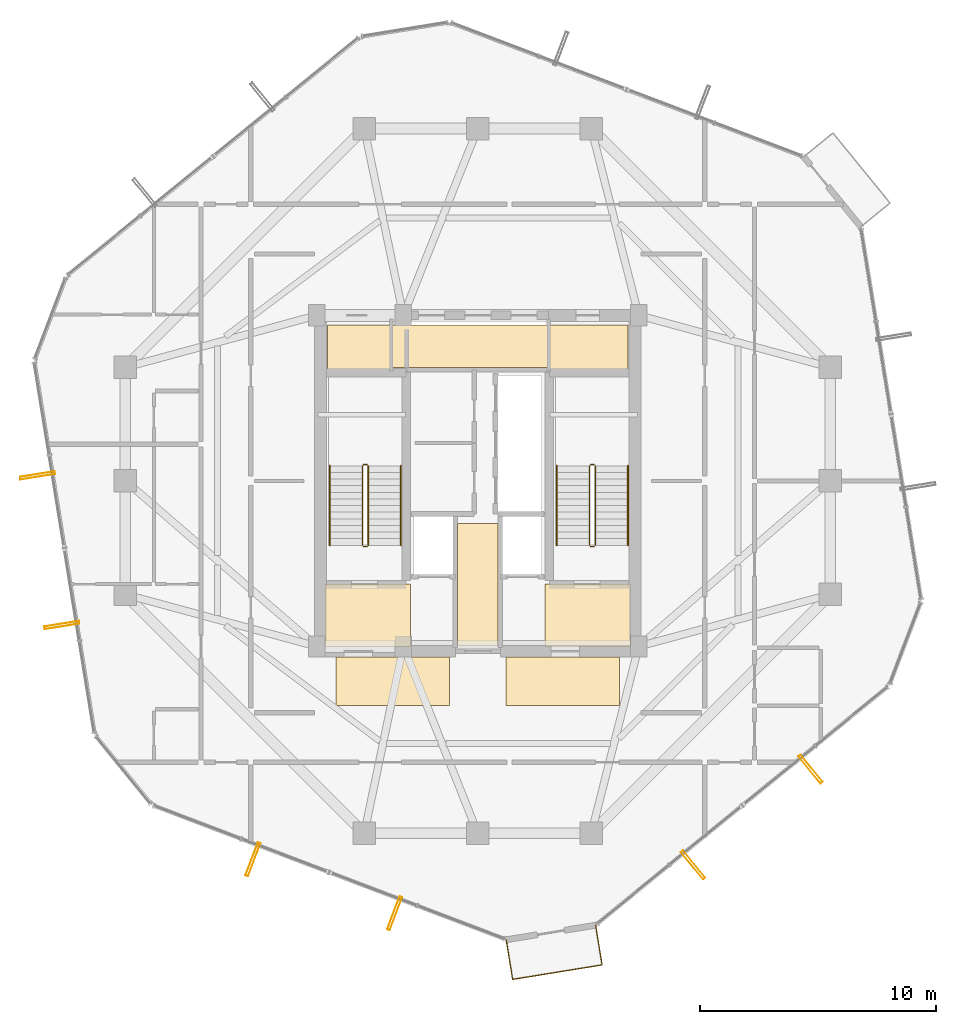
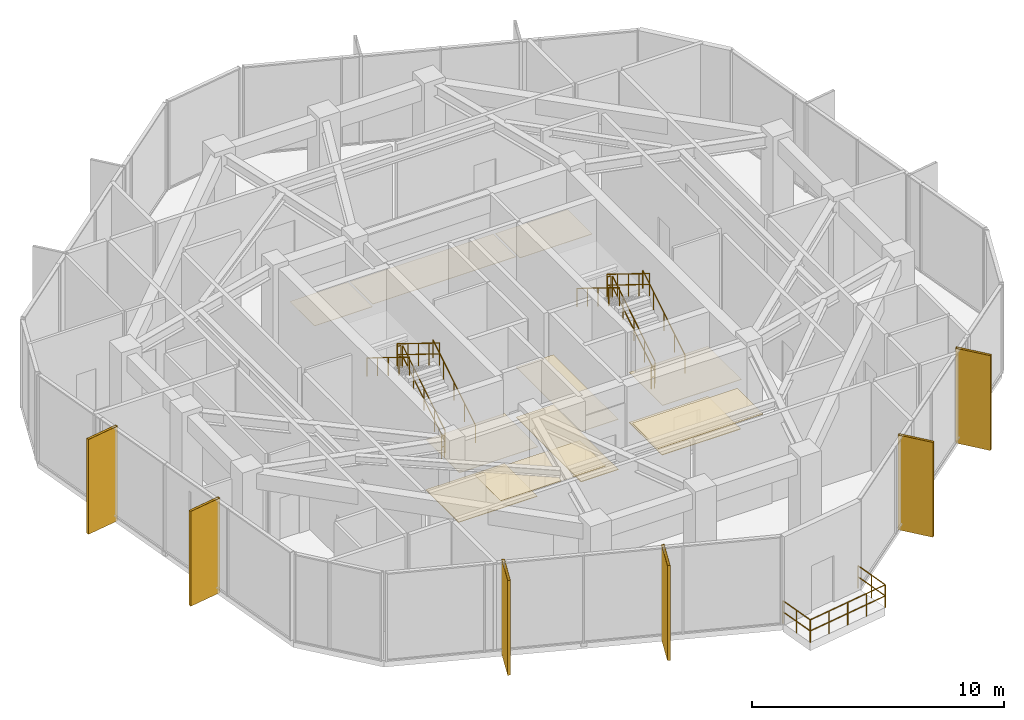
# One storey, part 21 of 22: 13 railings, 11 coverings, 6 shading devices.
"""IFC4 building model written with IfcOpenShell, lengths in metres."""

from ifc_helpers import new_model, si_unit, direction, frame, origin, origin_2d, place, context, subcontext, project, spatial, polyline, hollow_rectangle, circle, outline, extrude, material, layer, layer_set, material_profile, profile_set, type_object, element, save


model = new_model("IFC4")

# Units and contexts
model_context = context("Model", 3, precision=1e-05, world=origin(), true_north=direction((0.0, 1.0)))
body_context = subcontext(model_context, "Body", "Model", "MODEL_VIEW")
ifc_project = project(units=[si_unit("LENGTHUNIT", "METRE"), si_unit("AREAUNIT", "SQUARE_METRE"), si_unit("VOLUMEUNIT", "CUBIC_METRE"), si_unit("PLANEANGLEUNIT", "RADIAN"), si_unit("MASSUNIT", "GRAM", prefix="KILO")], contexts=[model_context])

# Site, building, storey
site_placement = place(None, origin())
site = spatial("IfcSite", under=ifc_project, at=site_placement, CompositionType="ELEMENT")
building_placement = place(site_placement, origin())
building = spatial("IfcBuilding", under=site, at=building_placement, Name="Veraguas Prism Commons", CompositionType="ELEMENT")
storey_placement = place(building_placement, frame((0.0, 0.0, 174.35009765625)))
storey = spatial("IfcBuildingStorey", under=building, at=storey_placement, Name="L49", CompositionType="ELEMENT", Elevation=174.35009765625)

# Shading devices
ifc_material_1 = material(Name="Anodised aluminium EN AW-6063 T6", Category="aluminium")
ifc_material_profile = material_profile(ifc_material_1, hollow_rectangle(XDim=0.1201171875, YDim=1.489990234375, WallThickness=0.006103515625, at=origin_2d()), Name="FIN120X1490X6")
ifc_profile_set = profile_set([ifc_material_profile], Name="Anodised aluminium EN AW-6063 T6")
shading_device_type = type_object("IfcShadingDeviceType", Name="Deep Pale-Metal Vertical Solar Fin 120x1490", PredefinedType="USERDEFINED", material=ifc_profile_set)
for number, where, z_axis, x_axis, name in (
    (1, (5.38818359375, 24.231689453125, -0.300048828125), (0.0, 0.0, 1.0), (0.159876019056, -0.987137102195, 0.0), "Vertical Pale-Metal Solar Fin L49-F3A"),
    (2, (6.4130859375, 17.9052734375, -0.300048828125), (0.0, 0.0, 1.0), (0.159876019056, -0.987137102195, 0.0), "Vertical Pale-Metal Solar Fin L49-F3B"),
    (3, (14.493408203125, 7.997802734375, -0.300048828125), (0.0, 0.0, 1.0), (0.934825056616, -0.355108593986, 0.0), "Vertical Pale-Metal Solar Fin L49-F4A"),
    (4, (20.484619140625, 5.7216796875, -0.300048828125), (0.0, 0.0, 1.0), (0.934825056616, -0.355108593986, 0.0), "Vertical Pale-Metal Solar Fin L49-F4B"),
    (5, (33.10498046875, 7.765869140625, -0.300048828125), (0.0, 0.0, 1.0), (0.774943385604, 0.632030655197, 0.0), "Vertical Pale-Metal Solar Fin L49-F5A"),
    (6, (38.07177734375, 11.816650390625, -0.300048828125), (0.0, 0.0, 1.0), (0.774943385604, 0.632030655197, 0.0), "Vertical Pale-Metal Solar Fin L49-F5B"),
):
    element("IfcShadingDevice", number, at=place(storey_placement, frame(where, z_axis=z_axis, x_axis=x_axis)), inside=storey, type_object=shading_device_type, Name=name, ObjectType="FIN", PredefinedType="USERDEFINED", context=body_context, shape_type="SweptSolid", body=[
        extrude(hollow_rectangle(XDim=0.1201171875, YDim=1.489990234375, WallThickness=0.006103515625, at=origin_2d()), origin(), (0.0, 0.0, 1.0), 4.5849609375),
    ])

# Railing
ifc_material_2 = material(Name="Stainless steel AISI 316", Category="steel")
railing_type_1 = type_object("IfcRailingType", Name="Loggia and Sky Pool Glazed Balustrade 1120", PredefinedType="BALUSTRADE", material=ifc_material_2)
railing_1_placement = place(storey_placement, frame((25.2001953125, 4.59912109375, 0.0)))
element("IfcRailing", 7, at=railing_1_placement, inside=storey, type_object=railing_type_1, Name="Sky Pool Terrace Basin Slab Guard", PredefinedType="BALUSTRADE", context=body_context, shape_type="SweptSolid", body=[
    extrude(circle(Radius=0.02392578125, at=origin_2d()), frame((0.0, 0.0, 1.09619140625), z_axis=(0.159855562635, -0.987140415085, 0.0), x_axis=(0.987140415085, 0.159855562635, 0.0)), (0.0, 0.0, 1.0), 1.699951171875),
    extrude(circle(Radius=0.02392578125, at=origin_2d()), frame((0.0, 0.0, 0.56005859375), z_axis=(0.159855562635, -0.987140415085, 0.0), x_axis=(0.987140415085, 0.159855562635, 0.0)), (0.0, 0.0, 1.0), 1.699951171875),
    extrude(circle(Radius=0.02392578125, at=origin_2d()), frame((0.271728515625, -1.677978515625, 1.09619140625), z_axis=(0.987135642963, 0.159885028671, 0.0), x_axis=(-0.159885028671, 0.987135642963, 0.0)), (0.0, 0.0, 1.0), 3.834228515625),
    extrude(circle(Radius=0.02392578125, at=origin_2d()), frame((0.271728515625, -1.677978515625, 0.56005859375), z_axis=(0.987135642963, 0.159885028671, 0.0), x_axis=(-0.159885028671, 0.987135642963, 0.0)), (0.0, 0.0, 1.0), 3.834228515625),
    extrude(circle(Radius=0.02392578125, at=origin_2d()), frame((4.056640625, -1.06494140625, 1.09619140625), z_axis=(-0.159855562635, 0.987140415085, 0.0), x_axis=(-0.987140415085, -0.159855562635, 0.0)), (0.0, 0.0, 1.0), 1.699951171875),
    extrude(circle(Radius=0.02392578125, at=origin_2d()), frame((4.056640625, -1.06494140625, 0.56005859375), z_axis=(-0.159855562635, 0.987140415085, 0.0), x_axis=(-0.987140415085, -0.159855562635, 0.0)), (0.0, 0.0, 1.0), 1.699951171875),
    extrude(circle(Radius=0.02099609375, at=origin_2d()), origin(), (0.0, 0.0, 1.0), 1.072021484375),
    extrude(circle(Radius=0.02099609375, at=origin_2d()), frame((0.1357421875, -0.8388671875, 0.0)), (0.0, 0.0, 1.0), 1.072021484375),
    extrude(circle(Radius=0.02099609375, at=origin_2d()), frame((0.271728515625, -1.677978515625, 0.0)), (0.0, 0.0, 1.0), 1.072021484375),
    extrude(circle(Radius=0.02099609375, at=origin_2d()), frame((1.218017578125, -1.524658203125, 0.0)), (0.0, 0.0, 1.0), 1.072021484375),
    extrude(circle(Radius=0.02099609375, at=origin_2d()), frame((2.1640625, -1.37158203125, 0.0)), (0.0, 0.0, 1.0), 1.072021484375),
    extrude(circle(Radius=0.02099609375, at=origin_2d()), frame((3.1103515625, -1.21826171875, 0.0)), (0.0, 0.0, 1.0), 1.072021484375),
    extrude(circle(Radius=0.02099609375, at=origin_2d()), frame((4.056640625, -1.06494140625, 0.0)), (0.0, 0.0, 1.0), 1.072021484375),
    extrude(circle(Radius=0.02099609375, at=origin_2d()), frame((3.9208984375, -0.22607421875, 0.0)), (0.0, 0.0, 1.0), 1.072021484375),
    extrude(circle(Radius=0.02099609375, at=origin_2d()), frame((3.784912109375, 0.613037109375, 0.0)), (0.0, 0.0, 1.0), 1.072021484375),
])

# Coverings
ifc_material_3 = material(Name="Acoustic gypsum board")
ifc_layer_1 = layer(ifc_material_3, 0.02490234375, Name="Perforated Acoustic Ceiling Tile 25")
ifc_layer_set_1 = layer_set([ifc_layer_1], Name="Acoustic gypsum board")
covering_type_1 = type_object("IfcCoveringType", Name="Perforated Acoustic Ceiling Tile 25", PredefinedType="USERDEFINED", material=ifc_layer_set_1)
covering_1_placement = place(storey_placement, frame((0.0, 0.0, 2.4248046875)))
element("IfcCovering", 8, at=covering_1_placement, inside=storey, type_object=covering_type_1, Name="East Lobby Acoustic Ceiling L49", ObjectType="ACOUSTIC CEILING", PredefinedType="USERDEFINED", context=body_context, shape_type="SweptSolid", body=[
    extrude(outline(polyline([(26.85009765625, 17.0), (30.449951171875, 17.0), (30.449951171875, 19.64990234375), (26.85009765625, 19.64990234375), (26.85009765625, 17.0)])), origin(), (0.0, 0.0, 1.0), 0.025146484375),
])
ifc_material_4 = material(Name="Terrazzo stone finish", Category="masonry")
ifc_layer_2 = layer(ifc_material_4, 0.030029296875, Name="Polished Terrazzo Floor Finish 30", Category="masonry")
ifc_layer_set_2 = layer_set([ifc_layer_2], Name="Terrazzo stone finish")
covering_type_2 = type_object("IfcCoveringType", Name="Polished Terrazzo Floor Finish 30", PredefinedType="FLOORING", material=ifc_layer_set_2)
covering_2_placement = place(storey_placement, origin())
element("IfcCovering", 9, at=covering_2_placement, inside=storey, type_object=covering_type_2, Name="Terrazzo Lobby Flooring L49", PredefinedType="FLOORING", context=body_context, shape_type="SweptSolid", body=[
    extrude(outline(polyline([(23.14990234375, 17.050048828125), (24.85009765625, 17.050048828125), (24.85009765625, 22.199951171875), (23.14990234375, 22.199951171875), (23.14990234375, 17.050048828125)])), origin(), (0.0, 0.0, 1.0), 0.02978515625),
])
covering_3_placement = place(storey_placement, origin())
element("IfcCovering", 10, at=covering_3_placement, inside=storey, type_object=covering_type_2, Name="West FF Lobby Terrazzo Flooring L49", PredefinedType="FLOORING", context=body_context, shape_type="SweptSolid", body=[
    extrude(outline(polyline([(17.550048828125, 17.050048828125), (21.14990234375, 17.050048828125), (21.14990234375, 19.64990234375), (17.550048828125, 19.64990234375), (17.550048828125, 17.050048828125)])), origin(), (0.0, 0.0, 1.0), 0.02978515625),
])
covering_4_placement = place(storey_placement, origin())
element("IfcCovering", 11, at=covering_4_placement, inside=storey, type_object=covering_type_2, Name="East FF Lobby Terrazzo Flooring L49", PredefinedType="FLOORING", context=body_context, shape_type="SweptSolid", body=[
    extrude(outline(polyline([(26.85009765625, 17.050048828125), (30.449951171875, 17.050048828125), (30.449951171875, 19.64990234375), (26.85009765625, 19.64990234375), (26.85009765625, 17.050048828125)])), origin(), (0.0, 0.0, 1.0), 0.02978515625),
])

# Railings
railing_type_2 = type_object("IfcRailingType", Name="Stair and Ramp Stainless Handrail 900", PredefinedType="HANDRAIL", material=ifc_material_2)
railing_2_placement = place(storey_placement, frame((20.75, 21.280029296875, 0.173095703125)))
element("IfcRailing", 12, at=railing_2_placement, inside=storey, type_object=railing_type_2, Name="Stair Handrail ST-01 L49-1", PredefinedType="HANDRAIL", context=body_context, shape_type="SweptSolid", body=[
    extrude(circle(Radius=0.02392578125, at=origin_2d()), frame((0.0, 0.0, 0.8759765625), z_axis=(0.0, 0.850606129759, 0.525803396734), x_axis=(-1.0, 0.0, 0.0)), (0.0, 0.0, 1.0), 3.949951171875),
    extrude(circle(Radius=0.02099609375, at=origin_2d()), origin(), (0.0, 0.0, 1.0), 0.851806640625),
    extrude(circle(Radius=0.02099609375, at=origin_2d()), frame((0.0, 0.83984375, 0.519287109375)), (0.0, 0.0, 1.0), 0.851806640625),
    extrude(circle(Radius=0.02099609375, at=origin_2d()), frame((0.0, 1.679931640625, 1.03857421875)), (0.0, 0.0, 1.0), 0.851806640625),
    extrude(circle(Radius=0.02099609375, at=origin_2d()), frame((0.0, 2.52001953125, 1.5576171875)), (0.0, 0.0, 1.0), 0.851806640625),
    extrude(circle(Radius=0.02099609375, at=origin_2d()), frame((0.0, 3.35986328125, 2.076904296875)), (0.0, 0.0, 1.0), 0.851806640625),
])
railing_3_placement = place(storey_placement, frame((17.739990234375, 24.639892578125, 2.423095703125)))
element("IfcRailing", 13, at=railing_3_placement, inside=storey, type_object=railing_type_2, Name="Stair Handrail ST-01 L49-2", PredefinedType="HANDRAIL", context=body_context, shape_type="SweptSolid", body=[
    extrude(circle(Radius=0.02392578125, at=origin_2d()), frame((0.0, 0.0, 0.8759765625), z_axis=(0.0, -0.850606129759, 0.525803396734), x_axis=(1.0, 0.0, 0.0)), (0.0, 0.0, 1.0), 3.949951171875),
    extrude(circle(Radius=0.02099609375, at=origin_2d()), origin(), (0.0, 0.0, 1.0), 0.851806640625),
    extrude(circle(Radius=0.02099609375, at=origin_2d()), frame((0.0, -0.83984375, 0.519287109375)), (0.0, 0.0, 1.0), 0.851806640625),
    extrude(circle(Radius=0.02099609375, at=origin_2d()), frame((0.0, -1.679931640625, 1.03857421875)), (0.0, 0.0, 1.0), 0.851806640625),
    extrude(circle(Radius=0.02099609375, at=origin_2d()), frame((0.0, -2.52001953125, 1.5576171875)), (0.0, 0.0, 1.0), 0.851806640625),
    extrude(circle(Radius=0.02099609375, at=origin_2d()), frame((0.0, -3.35986328125, 2.076904296875)), (0.0, 0.0, 1.0), 0.851806640625),
])
railing_4_placement = place(storey_placement, frame((30.35009765625, 21.280029296875, 0.173095703125)))
element("IfcRailing", 14, at=railing_4_placement, inside=storey, type_object=railing_type_2, Name="Stair Handrail ST-02 L49-1", PredefinedType="HANDRAIL", context=body_context, shape_type="SweptSolid", body=[
    extrude(circle(Radius=0.02392578125, at=origin_2d()), frame((0.0, 0.0, 0.8759765625), z_axis=(0.0, 0.850606129759, 0.525803396734), x_axis=(-1.0, 0.0, 0.0)), (0.0, 0.0, 1.0), 3.949951171875),
    extrude(circle(Radius=0.02099609375, at=origin_2d()), origin(), (0.0, 0.0, 1.0), 0.851806640625),
    extrude(circle(Radius=0.02099609375, at=origin_2d()), frame((0.0, 0.83984375, 0.519287109375)), (0.0, 0.0, 1.0), 0.851806640625),
    extrude(circle(Radius=0.02099609375, at=origin_2d()), frame((0.0, 1.679931640625, 1.03857421875)), (0.0, 0.0, 1.0), 0.851806640625),
    extrude(circle(Radius=0.02099609375, at=origin_2d()), frame((0.0, 2.52001953125, 1.5576171875)), (0.0, 0.0, 1.0), 0.851806640625),
    extrude(circle(Radius=0.02099609375, at=origin_2d()), frame((0.0, 3.35986328125, 2.076904296875)), (0.0, 0.0, 1.0), 0.851806640625),
])
railing_5_placement = place(storey_placement, frame((27.340087890625, 24.639892578125, 2.423095703125)))
element("IfcRailing", 15, at=railing_5_placement, inside=storey, type_object=railing_type_2, Name="Stair Handrail ST-02 L49-2", PredefinedType="HANDRAIL", context=body_context, shape_type="SweptSolid", body=[
    extrude(circle(Radius=0.02392578125, at=origin_2d()), frame((0.0, 0.0, 0.8759765625), z_axis=(0.0, -0.850606129759, 0.525803396734), x_axis=(1.0, 0.0, 0.0)), (0.0, 0.0, 1.0), 3.949951171875),
    extrude(circle(Radius=0.02099609375, at=origin_2d()), origin(), (0.0, 0.0, 1.0), 0.851806640625),
    extrude(circle(Radius=0.02099609375, at=origin_2d()), frame((0.0, -0.83984375, 0.519287109375)), (0.0, 0.0, 1.0), 0.851806640625),
    extrude(circle(Radius=0.02099609375, at=origin_2d()), frame((0.0, -1.679931640625, 1.03857421875)), (0.0, 0.0, 1.0), 0.851806640625),
    extrude(circle(Radius=0.02099609375, at=origin_2d()), frame((0.0, -2.52001953125, 1.5576171875)), (0.0, 0.0, 1.0), 0.851806640625),
    extrude(circle(Radius=0.02099609375, at=origin_2d()), frame((0.0, -3.35986328125, 2.076904296875)), (0.0, 0.0, 1.0), 0.851806640625),
])
railing_type_3 = type_object("IfcRailingType", Name="Stairwell Safety Guardrail 1100", PredefinedType="GUARDRAIL", material=ifc_material_2)
railing_6_placement = place(storey_placement, frame((19.3701171875, 21.280029296875, 0.173095703125)))
element("IfcRailing", 16, at=railing_6_placement, inside=storey, type_object=railing_type_3, Name="Stair Guard ST-01 L49-1", PredefinedType="GUARDRAIL", context=body_context, shape_type="SweptSolid", body=[
    extrude(circle(Radius=0.02392578125, at=origin_2d()), frame((0.0, 0.0, 1.076171875), z_axis=(0.0, 0.850606129759, 0.525803396734), x_axis=(-1.0, 0.0, 0.0)), (0.0, 0.0, 1.0), 3.949951171875),
    extrude(circle(Radius=0.02392578125, at=origin_2d()), frame((0.0, 0.0, 0.550048828125), z_axis=(0.0, 0.850606129759, 0.525803396734), x_axis=(-1.0, 0.0, 0.0)), (0.0, 0.0, 1.0), 3.949951171875),
    extrude(circle(Radius=0.02099609375, at=origin_2d()), origin(), (0.0, 0.0, 1.0), 1.052001953125),
    extrude(circle(Radius=0.02099609375, at=origin_2d()), frame((0.0, 0.83984375, 0.519287109375)), (0.0, 0.0, 1.0), 1.052001953125),
    extrude(circle(Radius=0.02099609375, at=origin_2d()), frame((0.0, 1.679931640625, 1.03857421875)), (0.0, 0.0, 1.0), 1.052001953125),
    extrude(circle(Radius=0.02099609375, at=origin_2d()), frame((0.0, 2.52001953125, 1.5576171875)), (0.0, 0.0, 1.0), 1.052001953125),
    extrude(circle(Radius=0.02099609375, at=origin_2d()), frame((0.0, 3.35986328125, 2.076904296875)), (0.0, 0.0, 1.0), 1.052001953125),
])
railing_7_placement = place(storey_placement, frame((19.320068359375, 24.68994140625, 2.25)))
element("IfcRailing", 17, at=railing_7_placement, inside=storey, type_object=railing_type_3, Name="Stair Guard ST-01 L49-2", PredefinedType="GUARDRAIL", context=body_context, shape_type="SweptSolid", body=[
    extrude(circle(Radius=0.02392578125, at=origin_2d()), frame((0.0, 0.0, 1.076171875), z_axis=(-1.0, 0.0, 0.0), x_axis=(0.0, -1.0, 0.0)), (0.0, 0.0, 1.0), 0.150146484375),
    extrude(circle(Radius=0.02392578125, at=origin_2d()), frame((0.0, 0.0, 0.550048828125), z_axis=(-1.0, 0.0, 0.0), x_axis=(0.0, -1.0, 0.0)), (0.0, 0.0, 1.0), 0.150146484375),
    extrude(circle(Radius=0.02099609375, at=origin_2d()), origin(), (0.0, 0.0, 1.0), 1.052001953125),
    extrude(circle(Radius=0.02099609375, at=origin_2d()), frame((-0.150146484375, 0.0, 0.0)), (0.0, 0.0, 1.0), 1.052001953125),
])
railing_8_placement = place(storey_placement, frame((19.1201171875, 24.639892578125, 2.423095703125)))
element("IfcRailing", 18, at=railing_8_placement, inside=storey, type_object=railing_type_3, Name="Stair Guard ST-01 L49-3", PredefinedType="GUARDRAIL", context=body_context, shape_type="SweptSolid", body=[
    extrude(circle(Radius=0.02392578125, at=origin_2d()), frame((0.0, 0.0, 1.076171875), z_axis=(0.0, -0.850606129759, 0.525803396734), x_axis=(1.0, 0.0, 0.0)), (0.0, 0.0, 1.0), 3.949951171875),
    extrude(circle(Radius=0.02392578125, at=origin_2d()), frame((0.0, 0.0, 0.550048828125), z_axis=(0.0, -0.850606129759, 0.525803396734), x_axis=(1.0, 0.0, 0.0)), (0.0, 0.0, 1.0), 3.949951171875),
    extrude(circle(Radius=0.02099609375, at=origin_2d()), origin(), (0.0, 0.0, 1.0), 1.052001953125),
    extrude(circle(Radius=0.02099609375, at=origin_2d()), frame((0.0, -0.83984375, 0.519287109375)), (0.0, 0.0, 1.0), 1.052001953125),
    extrude(circle(Radius=0.02099609375, at=origin_2d()), frame((0.0, -1.679931640625, 1.03857421875)), (0.0, 0.0, 1.0), 1.052001953125),
    extrude(circle(Radius=0.02099609375, at=origin_2d()), frame((0.0, -2.52001953125, 1.5576171875)), (0.0, 0.0, 1.0), 1.052001953125),
    extrude(circle(Radius=0.02099609375, at=origin_2d()), frame((0.0, -3.35986328125, 2.076904296875)), (0.0, 0.0, 1.0), 1.052001953125),
])
railing_9_placement = place(storey_placement, frame((19.320068359375, 21.22998046875, 0.0)))
element("IfcRailing", 19, at=railing_9_placement, inside=storey, type_object=railing_type_3, Name="Stair Guard ST-01 L49-4", PredefinedType="GUARDRAIL", context=body_context, shape_type="SweptSolid", body=[
    extrude(circle(Radius=0.02392578125, at=origin_2d()), frame((0.0, 0.0, 1.076171875), z_axis=(-1.0, 0.0, 0.0), x_axis=(0.0, -1.0, 0.0)), (0.0, 0.0, 1.0), 0.150146484375),
    extrude(circle(Radius=0.02392578125, at=origin_2d()), frame((0.0, 0.0, 0.550048828125), z_axis=(-1.0, 0.0, 0.0), x_axis=(0.0, -1.0, 0.0)), (0.0, 0.0, 1.0), 0.150146484375),
    extrude(circle(Radius=0.02099609375, at=origin_2d()), origin(), (0.0, 0.0, 1.0), 1.052001953125),
    extrude(circle(Radius=0.02099609375, at=origin_2d()), frame((-0.150146484375, 0.0, 0.0)), (0.0, 0.0, 1.0), 1.052001953125),
])
railing_10_placement = place(storey_placement, frame((28.969970703125, 21.280029296875, 0.173095703125)))
element("IfcRailing", 20, at=railing_10_placement, inside=storey, type_object=railing_type_3, Name="Stair Guard ST-02 L49-1", PredefinedType="GUARDRAIL", context=body_context, shape_type="SweptSolid", body=[
    extrude(circle(Radius=0.02392578125, at=origin_2d()), frame((0.0, 0.0, 1.076171875), z_axis=(0.0, 0.850606129759, 0.525803396734), x_axis=(-1.0, 0.0, 0.0)), (0.0, 0.0, 1.0), 3.949951171875),
    extrude(circle(Radius=0.02392578125, at=origin_2d()), frame((0.0, 0.0, 0.550048828125), z_axis=(0.0, 0.850606129759, 0.525803396734), x_axis=(-1.0, 0.0, 0.0)), (0.0, 0.0, 1.0), 3.949951171875),
    extrude(circle(Radius=0.02099609375, at=origin_2d()), origin(), (0.0, 0.0, 1.0), 1.052001953125),
    extrude(circle(Radius=0.02099609375, at=origin_2d()), frame((0.0, 0.83984375, 0.519287109375)), (0.0, 0.0, 1.0), 1.052001953125),
    extrude(circle(Radius=0.02099609375, at=origin_2d()), frame((0.0, 1.679931640625, 1.03857421875)), (0.0, 0.0, 1.0), 1.052001953125),
    extrude(circle(Radius=0.02099609375, at=origin_2d()), frame((0.0, 2.52001953125, 1.5576171875)), (0.0, 0.0, 1.0), 1.052001953125),
    extrude(circle(Radius=0.02099609375, at=origin_2d()), frame((0.0, 3.35986328125, 2.076904296875)), (0.0, 0.0, 1.0), 1.052001953125),
])
railing_11_placement = place(storey_placement, frame((28.919921875, 24.68994140625, 2.25)))
element("IfcRailing", 21, at=railing_11_placement, inside=storey, type_object=railing_type_3, Name="Stair Guard ST-02 L49-2", PredefinedType="GUARDRAIL", context=body_context, shape_type="SweptSolid", body=[
    extrude(circle(Radius=0.02392578125, at=origin_2d()), frame((0.0, 0.0, 1.076171875), z_axis=(-1.0, 0.0, 0.0), x_axis=(0.0, -1.0, 0.0)), (0.0, 0.0, 1.0), 0.14990234375),
    extrude(circle(Radius=0.02392578125, at=origin_2d()), frame((0.0, 0.0, 0.550048828125), z_axis=(-1.0, 0.0, 0.0), x_axis=(0.0, -1.0, 0.0)), (0.0, 0.0, 1.0), 0.14990234375),
    extrude(circle(Radius=0.02099609375, at=origin_2d()), origin(), (0.0, 0.0, 1.0), 1.052001953125),
    extrude(circle(Radius=0.02099609375, at=origin_2d()), frame((-0.14990234375, 0.0, 0.0)), (0.0, 0.0, 1.0), 1.052001953125),
])
railing_12_placement = place(storey_placement, frame((28.719970703125, 24.639892578125, 2.423095703125)))
element("IfcRailing", 22, at=railing_12_placement, inside=storey, type_object=railing_type_3, Name="Stair Guard ST-02 L49-3", PredefinedType="GUARDRAIL", context=body_context, shape_type="SweptSolid", body=[
    extrude(circle(Radius=0.02392578125, at=origin_2d()), frame((0.0, 0.0, 1.076171875), z_axis=(0.0, -0.850606129759, 0.525803396734), x_axis=(1.0, 0.0, 0.0)), (0.0, 0.0, 1.0), 3.949951171875),
    extrude(circle(Radius=0.02392578125, at=origin_2d()), frame((0.0, 0.0, 0.550048828125), z_axis=(0.0, -0.850606129759, 0.525803396734), x_axis=(1.0, 0.0, 0.0)), (0.0, 0.0, 1.0), 3.949951171875),
    extrude(circle(Radius=0.02099609375, at=origin_2d()), origin(), (0.0, 0.0, 1.0), 1.052001953125),
    extrude(circle(Radius=0.02099609375, at=origin_2d()), frame((0.0, -0.83984375, 0.519287109375)), (0.0, 0.0, 1.0), 1.052001953125),
    extrude(circle(Radius=0.02099609375, at=origin_2d()), frame((0.0, -1.679931640625, 1.03857421875)), (0.0, 0.0, 1.0), 1.052001953125),
    extrude(circle(Radius=0.02099609375, at=origin_2d()), frame((0.0, -2.52001953125, 1.5576171875)), (0.0, 0.0, 1.0), 1.052001953125),
    extrude(circle(Radius=0.02099609375, at=origin_2d()), frame((0.0, -3.35986328125, 2.076904296875)), (0.0, 0.0, 1.0), 1.052001953125),
])
railing_13_placement = place(storey_placement, frame((28.919921875, 21.22998046875, 0.0)))
element("IfcRailing", 23, at=railing_13_placement, inside=storey, type_object=railing_type_3, Name="Stair Guard ST-02 L49-4", PredefinedType="GUARDRAIL", context=body_context, shape_type="SweptSolid", body=[
    extrude(circle(Radius=0.02392578125, at=origin_2d()), frame((0.0, 0.0, 1.076171875), z_axis=(-1.0, 0.0, 0.0), x_axis=(0.0, -1.0, 0.0)), (0.0, 0.0, 1.0), 0.14990234375),
    extrude(circle(Radius=0.02392578125, at=origin_2d()), frame((0.0, 0.0, 0.550048828125), z_axis=(-1.0, 0.0, 0.0), x_axis=(0.0, -1.0, 0.0)), (0.0, 0.0, 1.0), 0.14990234375),
    extrude(circle(Radius=0.02099609375, at=origin_2d()), origin(), (0.0, 0.0, 1.0), 1.052001953125),
    extrude(circle(Radius=0.02099609375, at=origin_2d()), frame((-0.14990234375, 0.0, 0.0)), (0.0, 0.0, 1.0), 1.052001953125),
])

# Coverings
ifc_layer_3 = layer(ifc_material_3, 0.02001953125, Name="Suspended Gypsum Ceiling 20")
ifc_layer_set_3 = layer_set([ifc_layer_3], Name="Acoustic gypsum board")
covering_type_3 = type_object("IfcCoveringType", Name="Suspended Gypsum Ceiling 20", PredefinedType="CEILING", material=ifc_layer_set_3)
covering_5_placement = place(storey_placement, frame((0.0, 0.0, 2.429931640625)))
element("IfcCovering", 24, at=covering_5_placement, inside=storey, type_object=covering_type_3, Name="West Lobby Suspended Gypsum Ceiling L49", PredefinedType="CEILING", context=body_context, shape_type="SweptSolid", body=[
    extrude(outline(polyline([(17.550048828125, 17.0), (21.14990234375, 17.0), (21.14990234375, 19.64990234375), (17.550048828125, 19.64990234375), (17.550048828125, 17.0)])), origin(), (0.0, 0.0, 1.0), 0.02001953125),
])
covering_6_placement = place(storey_placement, frame((0.0, 0.0, 2.429931640625)))
element("IfcCovering", 25, at=covering_6_placement, inside=storey, type_object=covering_type_3, Name="Core Lobby Acoustic Ceiling L49-1", PredefinedType="CEILING", context=body_context, shape_type="SweptSolid", body=[
    extrude(outline(polyline([(18.0, 14.5), (22.800048828125, 14.5), (22.800048828125, 16.550048828125), (18.0, 16.550048828125), (18.0, 14.5)])), origin(), (0.0, 0.0, 1.0), 0.02001953125),
])
covering_7_placement = place(storey_placement, frame((0.0, 0.0, 2.429931640625)))
element("IfcCovering", 26, at=covering_7_placement, inside=storey, type_object=covering_type_3, Name="Core Lobby Acoustic Ceiling L49-2", PredefinedType="CEILING", context=body_context, shape_type="SweptSolid", body=[
    extrude(outline(polyline([(25.199951171875, 14.5), (30.0, 14.5), (30.0, 16.550048828125), (25.199951171875, 16.550048828125), (25.199951171875, 14.5)])), origin(), (0.0, 0.0, 1.0), 0.02001953125),
])
covering_8_placement = place(storey_placement, frame((0.0, 0.0, 2.429931640625)))
element("IfcCovering", 27, at=covering_8_placement, inside=storey, type_object=covering_type_3, Name="Core Lobby Acoustic Ceiling L49-3", PredefinedType="CEILING", context=body_context, shape_type="SweptSolid", body=[
    extrude(outline(polyline([(23.14990234375, 17.050048828125), (24.85009765625, 17.050048828125), (24.85009765625, 22.199951171875), (23.14990234375, 22.199951171875), (23.14990234375, 17.050048828125)])), origin(), (0.0, 0.0, 1.0), 0.02001953125),
])
covering_9_placement = place(storey_placement, frame((0.0, 0.0, 2.429931640625)))
element("IfcCovering", 28, at=covering_9_placement, inside=storey, type_object=covering_type_3, Name="Core Lobby Acoustic Ceiling L49-4", PredefinedType="CEILING", context=body_context, shape_type="SweptSolid", body=[
    extrude(outline(polyline([(17.64990234375, 28.64990234375), (20.300048828125, 28.64990234375), (20.300048828125, 30.60009765625), (17.64990234375, 30.60009765625), (17.64990234375, 28.64990234375)])), origin(), (0.0, 0.0, 1.0), 0.02001953125),
])
covering_10_placement = place(storey_placement, frame((0.0, 0.0, 2.429931640625)))
element("IfcCovering", 29, at=covering_10_placement, inside=storey, type_object=covering_type_3, Name="Core Lobby Acoustic Ceiling L49-5", PredefinedType="CEILING", context=body_context, shape_type="SweptSolid", body=[
    extrude(outline(polyline([(27.050048828125, 28.64990234375), (30.35009765625, 28.64990234375), (30.35009765625, 30.60009765625), (27.050048828125, 30.60009765625), (27.050048828125, 28.64990234375)])), origin(), (0.0, 0.0, 1.0), 0.02001953125),
])
covering_11_placement = place(storey_placement, frame((0.0, 0.0, 2.429931640625)))
element("IfcCovering", 30, at=covering_11_placement, inside=storey, type_object=covering_type_3, Name="Core Lobby Acoustic Ceiling L49-6", PredefinedType="CEILING", context=body_context, shape_type="SweptSolid", body=[
    extrude(outline(polyline([(20.39990234375, 28.800048828125), (26.949951171875, 28.800048828125), (26.949951171875, 30.60009765625), (20.39990234375, 30.60009765625), (20.39990234375, 28.800048828125)])), origin(), (0.0, 0.0, 1.0), 0.02001953125),
])

save(model, "model.ifc")
